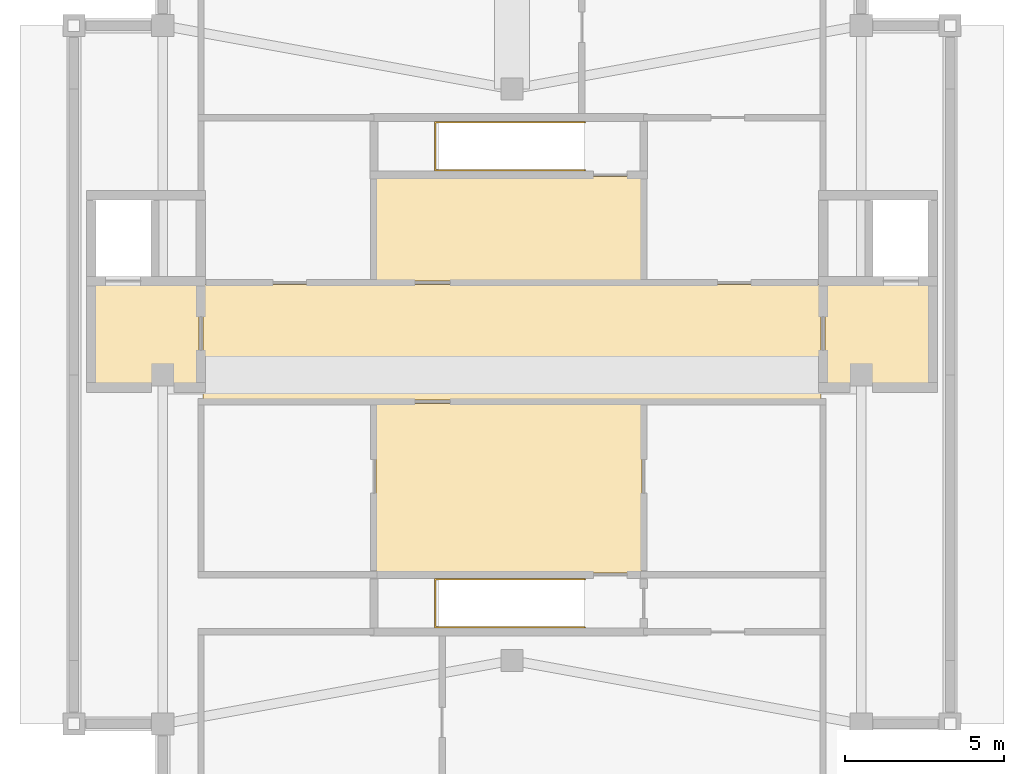
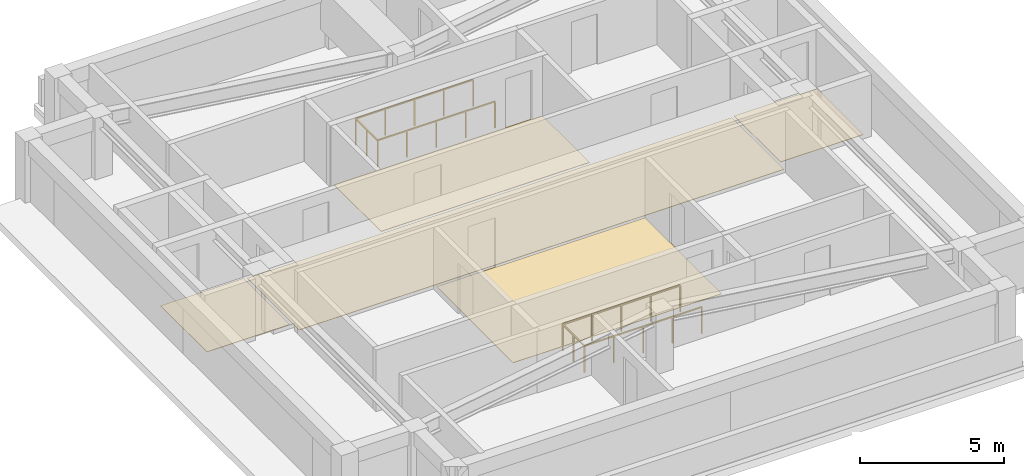
# One storey, part 4 of 4: 5 coverings, 2 railings.
"""IFC4 building model written with IfcOpenShell, lengths in metres."""

from ifc_helpers import new_model, si_unit, direction, frame, origin, origin_2d, place, context, subcontext, project, spatial, polyline, rectangle, outline, extrude, material, layer, layer_set, type_object, element, save


model = new_model("IFC4")

# Units and contexts
model_context = context("Model", 3, precision=1e-05, world=origin(), true_north=direction((0.0, 1.0)))
body_context = subcontext(model_context, "Body", "Model", "MODEL_VIEW")
ifc_project = project(units=[si_unit("LENGTHUNIT", "METRE"), si_unit("AREAUNIT", "SQUARE_METRE"), si_unit("VOLUMEUNIT", "CUBIC_METRE"), si_unit("PLANEANGLEUNIT", "RADIAN"), si_unit("MASSUNIT", "GRAM", prefix="KILO")], contexts=[model_context])

# Site, building, storey
site_placement = place(None, origin())
site = spatial("IfcSite", under=ifc_project, at=site_placement, CompositionType="ELEMENT")
building_placement = place(site_placement, origin())
building = spatial("IfcBuilding", under=site, at=building_placement, Name="Zulmaris Gate Convention Tower", CompositionType="ELEMENT")
storey_placement = place(building_placement, frame((0.0, 0.0, 294.0400390625)))
storey = spatial("IfcBuildingStorey", under=building, at=storey_placement, Name="L79", CompositionType="ELEMENT", Elevation=294.0400390625)

# Coverings
ifc_material_1 = material(Name="Woven Acoustic Wool Carpet Tile")
ifc_layer = layer(ifc_material_1, 0.02001953125, Name="Woven Acoustic Wool Carpet Tile")
ifc_layer_set = layer_set([ifc_layer], Name="Woven Acoustic Wool Carpet Tile")
covering_type = type_object("IfcCoveringType", Name="FLR-CARPET-12", PredefinedType="FLOORING", material=ifc_layer_set)
covering_1_placement = place(storey_placement, origin())
element("IfcCovering", 1, at=covering_1_placement, inside=storey, type_object=covering_type, Name="FLR-L79-R03", PredefinedType="FLOORING", context=body_context, shape_type="SweptSolid", body=[
    extrude(outline(polyline([(-13.18994140625, -0.340087890625), (-9.860107421875, -0.340087890625), (-9.860107421875, 2.889892578125), (-13.18994140625, 2.889892578125), (-13.18994140625, -0.340087890625)])), origin(), (0.0, 0.0, 1.0), 0.02001953125),
])
covering_2_placement = place(storey_placement, origin())
element("IfcCovering", 2, at=covering_2_placement, inside=storey, type_object=covering_type, Name="FLR-L79-R06", PredefinedType="FLOORING", context=body_context, shape_type="SweptSolid", body=[
    extrude(outline(polyline([(9.860107421875, -0.340087890625), (13.18994140625, -0.340087890625), (13.18994140625, 2.889892578125), (9.860107421875, 2.889892578125), (9.860107421875, -0.340087890625)])), origin(), (0.0, 0.0, 1.0), 0.02001953125),
])
covering_3_placement = place(storey_placement, origin())
element("IfcCovering", 3, at=covering_3_placement, inside=storey, type_object=covering_type, Name="FLR-L79-R09", PredefinedType="FLOORING", context=body_context, shape_type="SweptSolid", body=[
    extrude(outline(polyline([(-9.739990234375, -0.7900390625), (9.739990234375, -0.7900390625), (9.739990234375, 2.840087890625), (-9.739990234375, 2.840087890625), (-9.739990234375, -0.7900390625)])), origin(), (0.0, 0.0, 1.0), 0.02001953125),
])
covering_4_placement = place(storey_placement, origin())
element("IfcCovering", 4, at=covering_4_placement, inside=storey, type_object=covering_type, Name="FLR-L79-R10", PredefinedType="FLOORING", context=body_context, shape_type="SweptSolid", body=[
    extrude(outline(polyline([(-4.2900390625, -6.239990234375), (4.090087890625, -6.239990234375), (4.090087890625, -0.909912109375), (-4.2900390625, -0.909912109375), (-4.2900390625, -6.239990234375)])), origin(), (0.0, 0.0, 1.0), 0.02001953125),
])
covering_5_placement = place(storey_placement, origin())
element("IfcCovering", 5, at=covering_5_placement, inside=storey, type_object=covering_type, Name="FLR-L79-R11", PredefinedType="FLOORING", context=body_context, shape_type="SweptSolid", body=[
    extrude(outline(polyline([(-4.2900390625, 2.9599609375), (4.090087890625, 2.9599609375), (4.090087890625, 6.239990234375), (-4.2900390625, 6.239990234375), (-4.2900390625, 2.9599609375)])), origin(), (0.0, 0.0, 1.0), 0.02001953125),
])

# Railings
ifc_material_2 = material(Name="Painted Galvanised Steel", Category="steel")
railing_type = type_object("IfcRailingType", Name="RL-GUARD-1150", PredefinedType="GUARDRAIL", material=ifc_material_2)
railing_1_placement = place(storey_placement, frame((2.300048828125, -6.43994140625, 0.0)))
element("IfcRailing", 6, at=railing_1_placement, inside=storey, type_object=railing_type, Name="RL-L79-ST7-TOP", PredefinedType="GUARDRAIL", context=body_context, shape_type="SweptSolid", body=[
    extrude(rectangle(XDim=0.048095703125, YDim=0.048095703125, at=origin_2d()), frame((0.0, 0.0, 1.1259765625), z_axis=(-1.0, 0.0, 0.0), x_axis=(0.0, -1.0, 0.0)), (0.0, 0.0, 1.0), 4.719970703125),
    extrude(rectangle(XDim=0.048095703125, YDim=0.048095703125, at=origin_2d()), frame((-4.719970703125, 0.0, 1.1259765625), z_axis=(0.0, -1.0, 0.0), x_axis=(1.0, 0.0, 0.0)), (0.0, 0.0, 1.0), 1.52001953125),
    extrude(rectangle(XDim=0.048095703125, YDim=0.048095703125, at=origin_2d()), frame((-4.719970703125, -1.52001953125, 1.1259765625), z_axis=(1.0, 0.0, 0.0), x_axis=(0.0, 1.0, 0.0)), (0.0, 0.0, 1.0), 4.719970703125),
    extrude(rectangle(XDim=0.0419921875, YDim=0.0419921875, at=origin_2d()), origin(), (0.0, 0.0, 1.0), 1.101806640625),
    extrude(rectangle(XDim=0.0419921875, YDim=0.0419921875, at=origin_2d()), frame((-1.179931640625, 0.0, 0.0)), (0.0, 0.0, 1.0), 1.101806640625),
    extrude(rectangle(XDim=0.0419921875, YDim=0.0419921875, at=origin_2d()), frame((-2.35986328125, 0.0, 0.0)), (0.0, 0.0, 1.0), 1.101806640625),
    extrude(rectangle(XDim=0.0419921875, YDim=0.0419921875, at=origin_2d()), frame((-3.5400390625, 0.0, 0.0)), (0.0, 0.0, 1.0), 1.101806640625),
    extrude(rectangle(XDim=0.0419921875, YDim=0.0419921875, at=origin_2d()), frame((-4.719970703125, 0.0, 0.0)), (0.0, 0.0, 1.0), 1.101806640625),
    extrude(rectangle(XDim=0.0419921875, YDim=0.0419921875, at=origin_2d()), frame((-4.719970703125, -0.760009765625, 0.0)), (0.0, 0.0, 1.0), 1.101806640625),
    extrude(rectangle(XDim=0.0419921875, YDim=0.0419921875, at=origin_2d()), frame((-4.719970703125, -1.52001953125, 0.0)), (0.0, 0.0, 1.0), 1.101806640625),
    extrude(rectangle(XDim=0.0419921875, YDim=0.0419921875, at=origin_2d()), frame((-3.5400390625, -1.52001953125, 0.0)), (0.0, 0.0, 1.0), 1.101806640625),
    extrude(rectangle(XDim=0.0419921875, YDim=0.0419921875, at=origin_2d()), frame((-2.35986328125, -1.52001953125, 0.0)), (0.0, 0.0, 1.0), 1.101806640625),
    extrude(rectangle(XDim=0.0419921875, YDim=0.0419921875, at=origin_2d()), frame((-1.179931640625, -1.52001953125, 0.0)), (0.0, 0.0, 1.0), 1.101806640625),
    extrude(rectangle(XDim=0.0419921875, YDim=0.0419921875, at=origin_2d()), frame((0.0, -1.52001953125, 0.0)), (0.0, 0.0, 1.0), 1.101806640625),
])
railing_2_placement = place(storey_placement, frame((2.300048828125, 6.43994140625, 0.0)))
element("IfcRailing", 7, at=railing_2_placement, inside=storey, type_object=railing_type, Name="RL-L79-ST8-TOP", PredefinedType="GUARDRAIL", context=body_context, shape_type="SweptSolid", body=[
    extrude(rectangle(XDim=0.048095703125, YDim=0.048095703125, at=origin_2d()), frame((0.0, 0.0, 1.1259765625), z_axis=(-1.0, 0.0, 0.0), x_axis=(0.0, -1.0, 0.0)), (0.0, 0.0, 1.0), 4.719970703125),
    extrude(rectangle(XDim=0.048095703125, YDim=0.048095703125, at=origin_2d()), frame((-4.719970703125, 0.0, 1.1259765625), z_axis=(0.0, 1.0, 0.0), x_axis=(-1.0, 0.0, 0.0)), (0.0, 0.0, 1.0), 1.52001953125),
    extrude(rectangle(XDim=0.048095703125, YDim=0.048095703125, at=origin_2d()), frame((-4.719970703125, 1.52001953125, 1.1259765625), z_axis=(1.0, 0.0, 0.0), x_axis=(0.0, 1.0, 0.0)), (0.0, 0.0, 1.0), 4.719970703125),
    extrude(rectangle(XDim=0.0419921875, YDim=0.0419921875, at=origin_2d()), origin(), (0.0, 0.0, 1.0), 1.101806640625),
    extrude(rectangle(XDim=0.0419921875, YDim=0.0419921875, at=origin_2d()), frame((-1.179931640625, 0.0, 0.0)), (0.0, 0.0, 1.0), 1.101806640625),
    extrude(rectangle(XDim=0.0419921875, YDim=0.0419921875, at=origin_2d()), frame((-2.35986328125, 0.0, 0.0)), (0.0, 0.0, 1.0), 1.101806640625),
    extrude(rectangle(XDim=0.0419921875, YDim=0.0419921875, at=origin_2d()), frame((-3.5400390625, 0.0, 0.0)), (0.0, 0.0, 1.0), 1.101806640625),
    extrude(rectangle(XDim=0.0419921875, YDim=0.0419921875, at=origin_2d()), frame((-4.719970703125, 0.0, 0.0)), (0.0, 0.0, 1.0), 1.101806640625),
    extrude(rectangle(XDim=0.0419921875, YDim=0.0419921875, at=origin_2d()), frame((-4.719970703125, 0.760009765625, 0.0)), (0.0, 0.0, 1.0), 1.101806640625),
    extrude(rectangle(XDim=0.0419921875, YDim=0.0419921875, at=origin_2d()), frame((-4.719970703125, 1.52001953125, 0.0)), (0.0, 0.0, 1.0), 1.101806640625),
    extrude(rectangle(XDim=0.0419921875, YDim=0.0419921875, at=origin_2d()), frame((-3.5400390625, 1.52001953125, 0.0)), (0.0, 0.0, 1.0), 1.101806640625),
    extrude(rectangle(XDim=0.0419921875, YDim=0.0419921875, at=origin_2d()), frame((-2.35986328125, 1.52001953125, 0.0)), (0.0, 0.0, 1.0), 1.101806640625),
    extrude(rectangle(XDim=0.0419921875, YDim=0.0419921875, at=origin_2d()), frame((-1.179931640625, 1.52001953125, 0.0)), (0.0, 0.0, 1.0), 1.101806640625),
    extrude(rectangle(XDim=0.0419921875, YDim=0.0419921875, at=origin_2d()), frame((0.0, 1.52001953125, 0.0)), (0.0, 0.0, 1.0), 1.101806640625),
])

save(model, "model.ifc")
